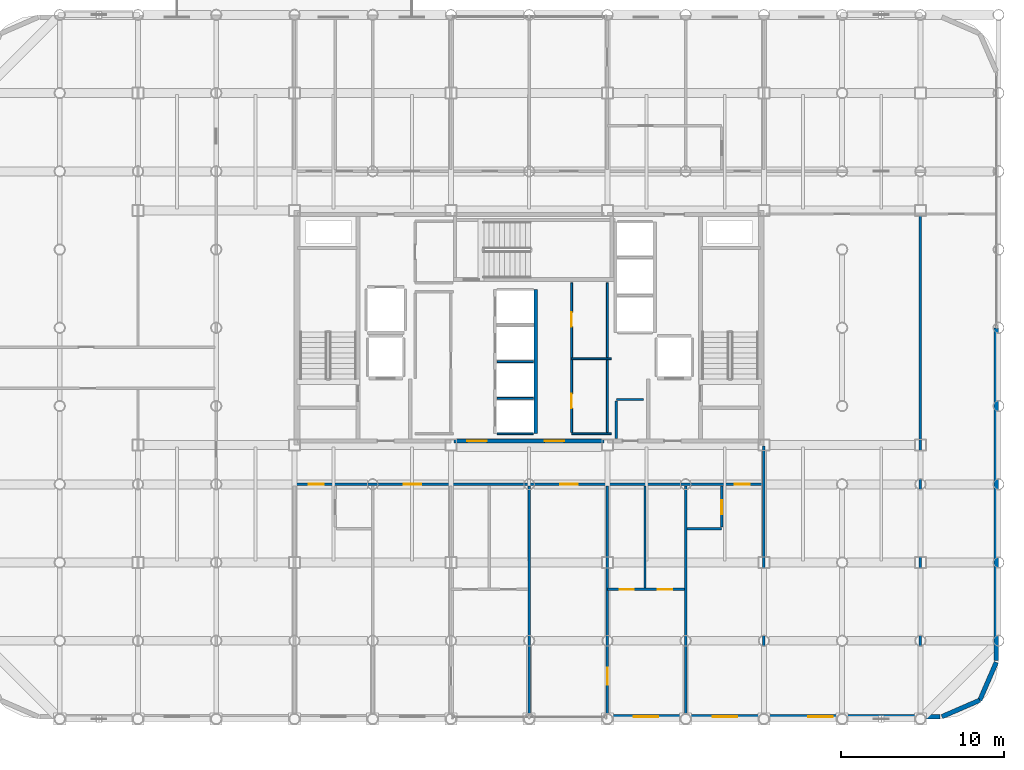
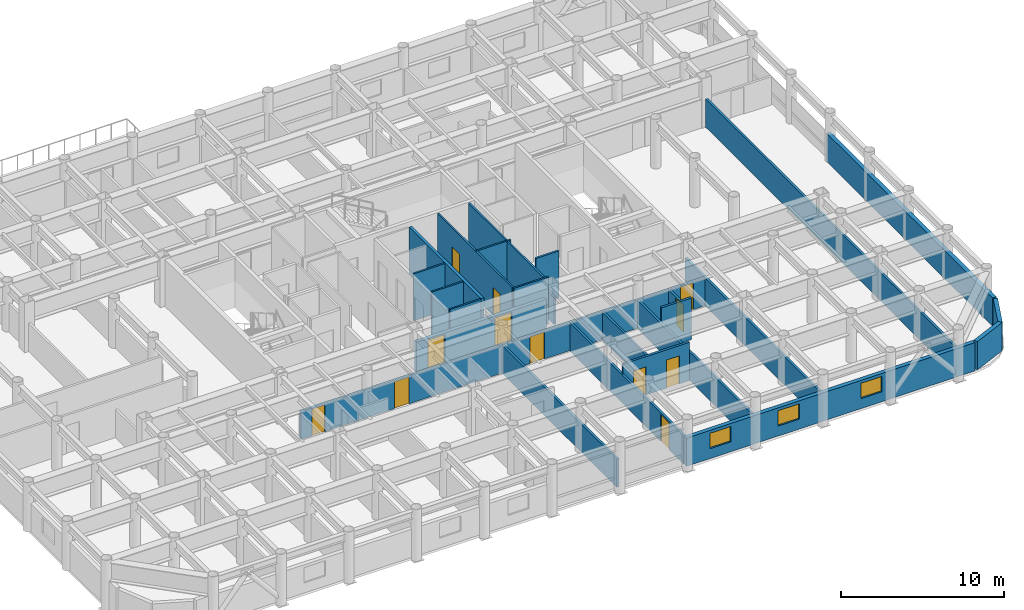
# One storey, part 18 of 22: 25 walls, 12 doors, 3 windows, 15 openings.
"""IFC4 building model written with IfcOpenShell, lengths in metres."""

from ifc_helpers import new_model, si_unit, direction, frame, frame_2d, origin, place, context, subcontext, project, spatial, rectangle, extrude, material, layer, layer_set, type_object, element, fill, save


model = new_model("IFC4")

# Units and contexts
model_context = context("Model", 3, precision=1e-05, world=origin(), true_north=direction((0.0, 1.0)))
body_context = subcontext(model_context, "Body", "Model", "MODEL_VIEW")
ifc_project = project(units=[si_unit("LENGTHUNIT", "METRE"), si_unit("AREAUNIT", "SQUARE_METRE"), si_unit("VOLUMEUNIT", "CUBIC_METRE"), si_unit("PLANEANGLEUNIT", "RADIAN"), si_unit("MASSUNIT", "GRAM", prefix="KILO")], contexts=[model_context])

# Site, building, storey
site_placement = place(None, origin())
site = spatial("IfcSite", under=ifc_project, at=site_placement, CompositionType="ELEMENT")
building_placement = place(site_placement, origin())
building = spatial("IfcBuilding", under=site, at=building_placement, Name="Kallvorn Hotel Tower", CompositionType="ELEMENT")
storey_placement = place(building_placement, frame((0.0, 0.0, 154.39990234375)))
storey = spatial("IfcBuildingStorey", under=building, at=storey_placement, Name="L38", CompositionType="ELEMENT", Elevation=154.39990234375)

# Wall, openings, doors
ifc_material_1 = material(Name="Fire-rated double-layer acoustic gypsum drywall EI 60")
ifc_layer_1 = layer(ifc_material_1, 0.159912109375)
ifc_layer_set_1 = layer_set([ifc_layer_1], Name="WL_DEMISE_160")
wall_type_1 = type_object("IfcWallType", Name="WL_DEMISE_160", PredefinedType="PARTITIONING", material=ifc_layer_set_1)
wall_1_placement = place(storey_placement, frame((4.800048828125, -16.050048828125, 0.0), z_axis=(0.0, 0.0, 1.0), x_axis=(1.0, 0.0, 0.0)))
wall_1 = element("IfcWall", 1, at=wall_1_placement, inside=storey, type_object=wall_type_1, Name="L38 Suite 3803 Executive Bedroom Partition", PredefinedType="PARTITIONING", context=body_context, shape_type="SweptSolid", body=[
    extrude(rectangle(XDim=4.719970703125, YDim=0.159912109375, at=frame_2d((2.35986328125, 0.0))), origin(), (0.0, 0.0, 1.0), 2.8701171875),
])
opening_1_placement = place(wall_1_placement, frame((0.75, 0.0, 0.0)))
opening_1 = element("IfcOpeningElement", 2, at=opening_1_placement, cuts=wall_1, Name="Opening BD-I", PredefinedType="OPENING", context=body_context, shape_type="SweptSolid", body=[
    extrude(rectangle(XDim=0.860107421875, YDim=2.10009765625, at=frame_2d((0.43017578125, 1.050048828125))), frame((0.0, 0.094970703125, 0.0), z_axis=(0.0, -1.0, 0.0), x_axis=(1.0, 0.0, 0.0)), (0.0, 0.0, 1.0), 0.18994140625),
])
opening_2_placement = place(wall_1_placement, frame((3.090087890625, 0.0, 0.0)))
opening_2 = element("IfcOpeningElement", 3, at=opening_2_placement, cuts=wall_1, Name="Opening SVD1", PredefinedType="OPENING", context=body_context, shape_type="SweptSolid", body=[
    extrude(rectangle(XDim=0.89990234375, YDim=2.10009765625, at=frame_2d((0.449951171875, 1.050048828125))), frame((0.0, 0.094970703125, 0.0), z_axis=(0.0, -1.0, 0.0), x_axis=(1.0, 0.0, 0.0)), (0.0, 0.0, 1.0), 0.18994140625),
])
ifc_material_2 = material(Name="Solid-core walnut veneer fire-rated timber door leaf", Category="wood")
door_type_1 = type_object("IfcDoorType", Name="DR_BATH_860x2100", OperationType="NOTDEFINED", PredefinedType="DOOR", material=ifc_material_2)
door_1_placement = place(opening_1_placement, origin())
door_1 = element("IfcDoor", 4, at=door_1_placement, inside=storey, type_object=door_type_1, Name="L38 Suite 3803 En-Suite Bathroom Door", OperationType="SINGLE_SWING_RIGHT", OverallHeight=2.10009765625, OverallWidth=0.860107421875, PredefinedType="DOOR", context=body_context, shape_type="SweptSolid", body=[
    extrude(rectangle(XDim=0.860107421875, YDim=2.10009765625, at=frame_2d((0.43017578125, 1.050048828125))), frame((0.0, 0.02490234375, 0.0), z_axis=(0.0, -1.0, 0.0), x_axis=(1.0, 0.0, 0.0)), (0.0, 0.0, 1.0), 0.050048828125),
])
fill(opening_1, door_1)
ifc_material_3 = material(Name="Galvanised painted steel fire-rated door assembly", Category="steel")
door_type_2 = type_object("IfcDoorType", Name="DR_SERV_900x2100", OperationType="NOTDEFINED", PredefinedType="DOOR", material=ifc_material_3)
door_2_placement = place(opening_2_placement, origin())
door_2 = element("IfcDoor", 5, at=door_2_placement, inside=storey, type_object=door_type_2, Name="L38 Suite 3803 Walk-In Dressing Closet Door", OperationType="SINGLE_SWING_LEFT", OverallHeight=2.10009765625, OverallWidth=0.89990234375, PredefinedType="DOOR", context=body_context, shape_type="SweptSolid", body=[
    extrude(rectangle(XDim=0.89990234375, YDim=2.10009765625, at=frame_2d((0.449951171875, 1.050048828125))), frame((0.0, 0.02490234375, 0.0), z_axis=(0.0, -1.0, 0.0), x_axis=(1.0, 0.0, 0.0)), (0.0, 0.0, 1.0), 0.050048828125),
])
fill(opening_2, door_2)

# Wall
wall_2_placement = place(storey_placement, frame((9.679931640625, -12.320068359375, 0.0), z_axis=(0.0, 0.0, 1.0), x_axis=(1.0, 0.0, 0.0)))
element("IfcWall", 6, at=wall_2_placement, inside=storey, type_object=wall_type_1, Name="L38 Suite 3804 Superior Twin Room Partition", PredefinedType="PARTITIONING", context=body_context, shape_type="SweptSolid", body=[
    extrude(rectangle(XDim=2.130126953125, YDim=0.159912109375, at=frame_2d((1.06494140625, 0.0))), origin(), (0.0, 0.0, 1.0), 3.1201171875),
])

# Wall, openings, doors
wall_3_placement = place(storey_placement, frame((-14.320068359375, -9.60009765625, 0.0), z_axis=(0.0, 0.0, 1.0), x_axis=(1.0, 0.0, 0.0)))
wall_3 = element("IfcWall", 7, at=wall_3_placement, inside=storey, type_object=wall_type_1, Name="L38 Suite 3801 Superior Twin Room Partition", PredefinedType="PARTITIONING", context=body_context, shape_type="SweptSolid", body=[
    extrude(rectangle(XDim=28.64013671875, YDim=0.159912109375, at=frame_2d((14.320068359375, 0.0))), origin(), (0.0, 0.0, 1.0), 2.1201171875),
])
opening_3_placement = place(wall_3_placement, frame((0.794921875, 0.0, 0.0)))
opening_3 = element("IfcOpeningElement", 8, at=opening_3_placement, cuts=wall_3, Name="Opening GD1A", PredefinedType="OPENING", context=body_context, shape_type="SweptSolid", body=[
    extrude(rectangle(XDim=0.919921875, YDim=2.02001953125, at=frame_2d((0.4599609375, 1.010009765625))), frame((0.0, 0.094970703125, 0.0), z_axis=(0.0, -1.0, 0.0), x_axis=(1.0, 0.0, 0.0)), (0.0, 0.0, 1.0), 0.18994140625),
])
opening_4_placement = place(wall_3_placement, frame((6.635009765625, 0.0, 0.0)))
opening_4 = element("IfcOpeningElement", 9, at=opening_4_placement, cuts=wall_3, Name="Opening GD2A", PredefinedType="OPENING", context=body_context, shape_type="SweptSolid", body=[
    extrude(rectangle(XDim=1.050048828125, YDim=2.02001953125, at=frame_2d((0.52490234375, 1.010009765625))), frame((0.0, 0.094970703125, 0.0), z_axis=(0.0, -1.0, 0.0), x_axis=(1.0, 0.0, 0.0)), (0.0, 0.0, 1.0), 0.18994140625),
])
opening_5_placement = place(wall_3_placement, frame((16.235107421875, 0.0, 0.0)))
opening_5 = element("IfcOpeningElement", 10, at=opening_5_placement, cuts=wall_3, Name="Opening GD2A", PredefinedType="OPENING", context=body_context, shape_type="SweptSolid", body=[
    extrude(rectangle(XDim=1.050048828125, YDim=2.02001953125, at=frame_2d((0.52490234375, 1.010009765625))), frame((0.0, 0.094970703125, 0.0), z_axis=(0.0, -1.0, 0.0), x_axis=(1.0, 0.0, 0.0)), (0.0, 0.0, 1.0), 0.18994140625),
])
opening_6_placement = place(wall_3_placement, frame((26.925048828125, 0.0, 0.0)))
opening_6 = element("IfcOpeningElement", 11, at=opening_6_placement, cuts=wall_3, Name="Opening GD1A", PredefinedType="OPENING", context=body_context, shape_type="SweptSolid", body=[
    extrude(rectangle(XDim=0.919921875, YDim=2.02001953125, at=frame_2d((0.4599609375, 1.010009765625))), frame((0.0, 0.094970703125, 0.0), z_axis=(0.0, -1.0, 0.0), x_axis=(1.0, 0.0, 0.0)), (0.0, 0.0, 1.0), 0.18994140625),
])
ifc_material_4 = material(Name="Solid-core walnut veneer fire-rated timber door leaf", Category="wood")
door_type_3 = type_object("IfcDoorType", Name="DR_GUEST_920x2020", OperationType="NOTDEFINED", PredefinedType="DOOR", material=ifc_material_4)
door_3_placement = place(opening_3_placement, origin())
door_3 = element("IfcDoor", 12, at=door_3_placement, inside=storey, type_object=door_type_3, Name="L38 Suite 3801 Superior Twin Room Door", OperationType="SINGLE_SWING_RIGHT", OverallHeight=2.02001953125, OverallWidth=0.919921875, PredefinedType="DOOR", context=body_context, shape_type="SweptSolid", body=[
    extrude(rectangle(XDim=0.919921875, YDim=2.02001953125, at=frame_2d((0.4599609375, 1.010009765625))), frame((0.0, 0.02490234375, 0.0), z_axis=(0.0, -1.0, 0.0), x_axis=(1.0, 0.0, 0.0)), (0.0, 0.0, 1.0), 0.050048828125),
])
fill(opening_3, door_3)
door_4_placement = place(opening_6_placement, origin())
door_4 = element("IfcDoor", 13, at=door_4_placement, inside=storey, type_object=door_type_3, Name="L38 Suite 3804 Superior Twin Room Door", OperationType="SINGLE_SWING_LEFT", OverallHeight=2.02001953125, OverallWidth=0.919921875, PredefinedType="DOOR", context=body_context, shape_type="SweptSolid", body=[
    extrude(rectangle(XDim=0.919921875, YDim=2.02001953125, at=frame_2d((0.4599609375, 1.010009765625))), frame((0.0, 0.02490234375, 0.0), z_axis=(0.0, -1.0, 0.0), x_axis=(1.0, 0.0, 0.0)), (0.0, 0.0, 1.0), 0.050048828125),
])
fill(opening_6, door_4)
ifc_material_5 = material(Name="Solid-core walnut veneer fire-rated timber door leaf", Category="wood")
door_type_4 = type_object("IfcDoorType", Name="DR_SUITE_1050x2020", OperationType="NOTDEFINED", PredefinedType="DOOR", material=ifc_material_5)
door_5_placement = place(opening_4_placement, origin())
door_5 = element("IfcDoor", 14, at=door_5_placement, inside=storey, type_object=door_type_4, Name="L38 Suite 3802 Executive Living Salon Door", OperationType="SINGLE_SWING_RIGHT", OverallHeight=2.02001953125, OverallWidth=1.050048828125, PredefinedType="DOOR", context=body_context, shape_type="SweptSolid", body=[
    extrude(rectangle(XDim=1.050048828125, YDim=2.02001953125, at=frame_2d((0.52490234375, 1.010009765625))), frame((0.0, 0.02490234375, 0.0), z_axis=(0.0, -1.0, 0.0), x_axis=(1.0, 0.0, 0.0)), (0.0, 0.0, 1.0), 0.050048828125),
])
fill(opening_4, door_5)
door_6_placement = place(opening_5_placement, origin())
door_6 = element("IfcDoor", 15, at=door_6_placement, inside=storey, type_object=door_type_4, Name="L38 Suite 3803 Executive Living Salon Door", OperationType="SINGLE_SWING_LEFT", OverallHeight=2.02001953125, OverallWidth=1.050048828125, PredefinedType="DOOR", context=body_context, shape_type="SweptSolid", body=[
    extrude(rectangle(XDim=1.050048828125, YDim=2.02001953125, at=frame_2d((0.52490234375, 1.010009765625))), frame((0.0, 0.02490234375, 0.0), z_axis=(0.0, -1.0, 0.0), x_axis=(1.0, 0.0, 0.0)), (0.0, 0.0, 1.0), 0.050048828125),
])
fill(opening_5, door_6)

# Wall
wall_4_placement = place(storey_placement, frame((0.0, -23.794921875, 0.0), z_axis=(0.0, 0.0, 1.0), x_axis=(0.0, 1.0, 0.0)))
element("IfcWall", 16, at=wall_4_placement, inside=storey, type_object=wall_type_1, Name="L38 Suite 3802 Executive Bedroom Partition", PredefinedType="PARTITIONING", context=body_context, shape_type="SweptSolid", body=[
    extrude(rectangle(XDim=14.074951171875, YDim=0.159912109375, at=frame_2d((7.03759765625, 0.0))), origin(), (0.0, 0.0, 1.0), 2.1201171875),
])

# Wall, opening, door
wall_5_placement = place(storey_placement, frame((4.800048828125, -23.7099609375, 0.0), z_axis=(0.0, 0.0, 1.0), x_axis=(0.0, 1.0, 0.0)))
wall_5 = element("IfcWall", 17, at=wall_5_placement, inside=storey, type_object=wall_type_1, Name="L38 Suite 3803 Executive Bedroom Partition", PredefinedType="PARTITIONING", context=body_context, shape_type="SweptSolid", body=[
    extrude(rectangle(XDim=13.989990234375, YDim=0.159912109375, at=frame_2d((6.9951171875, 0.0))), origin(), (0.0, 0.0, 1.0), 2.1201171875),
])
opening_7_placement = place(wall_5_placement, frame((1.802978515625, 0.0, 0.0)))
opening_7 = element("IfcOpeningElement", 18, at=opening_7_placement, cuts=wall_5, Name="Opening GD2A", PredefinedType="OPENING", context=body_context, shape_type="SweptSolid", body=[
    extrude(rectangle(XDim=1.050048828125, YDim=2.02001953125, at=frame_2d((0.52490234375, 1.010009765625))), frame((0.0, 0.094970703125, 0.0), z_axis=(0.0, -1.0, 0.0), x_axis=(1.0, 0.0, 0.0)), (0.0, 0.0, 1.0), 0.18994140625),
])
door_7_placement = place(opening_7_placement, origin())
door_7 = element("IfcDoor", 19, at=door_7_placement, inside=storey, type_object=door_type_4, Name="L38 Suite 3803 Executive Bedroom Door", OperationType="SINGLE_SWING_RIGHT", OverallHeight=2.02001953125, OverallWidth=1.050048828125, PredefinedType="DOOR", context=body_context, shape_type="SweptSolid", body=[
    extrude(rectangle(XDim=1.050048828125, YDim=2.02001953125, at=frame_2d((0.52490234375, 1.010009765625))), frame((0.0, 0.02490234375, 0.0), z_axis=(0.0, -1.0, 0.0), x_axis=(1.0, 0.0, 0.0)), (0.0, 0.0, 1.0), 0.050048828125),
])
fill(opening_7, door_7)

# Wall
wall_6_placement = place(storey_placement, frame((9.60009765625, -23.7099609375, 0.0), z_axis=(0.0, 0.0, 1.0), x_axis=(0.0, 1.0, 0.0)))
element("IfcWall", 20, at=wall_6_placement, inside=storey, type_object=wall_type_1, Name="L38 Suite 3803 Executive Bedroom Partition", PredefinedType="PARTITIONING", context=body_context, shape_type="SweptSolid", body=[
    extrude(rectangle(XDim=13.989990234375, YDim=0.159912109375, at=frame_2d((6.9951171875, 0.0))), origin(), (0.0, 0.0, 1.0), 2.1201171875),
])

# Wall, opening, door
wall_7_placement = place(storey_placement, frame((11.81005859375, -12.235107421875, 0.0), z_axis=(0.0, 0.0, 1.0), x_axis=(0.0, 1.0, 0.0)))
wall_7 = element("IfcWall", 21, at=wall_7_placement, inside=storey, type_object=wall_type_1, Name="L38 Suite 3804 Superior Twin Room Partition", PredefinedType="PARTITIONING", context=body_context, shape_type="SweptSolid", body=[
    extrude(rectangle(XDim=2.51513671875, YDim=0.159912109375, at=frame_2d((1.257568359375, 0.0))), origin(), (0.0, 0.0, 1.0), 2.1201171875),
])
opening_8_placement = place(wall_7_placement, frame((0.784912109375, 0.0, 0.0)))
opening_8 = element("IfcOpeningElement", 22, at=opening_8_placement, cuts=wall_7, Name="Opening BD-IA", PredefinedType="OPENING", context=body_context, shape_type="SweptSolid", body=[
    extrude(rectangle(XDim=0.860107421875, YDim=2.02001953125, at=frame_2d((0.43017578125, 1.010009765625))), frame((0.0, 0.094970703125, 0.0), z_axis=(0.0, -1.0, 0.0), x_axis=(1.0, 0.0, 0.0)), (0.0, 0.0, 1.0), 0.18994140625),
])
ifc_material_6 = material(Name="Solid-core walnut veneer fire-rated timber door leaf", Category="wood")
door_type_5 = type_object("IfcDoorType", Name="DR_BATH_860x2020", OperationType="NOTDEFINED", PredefinedType="DOOR", material=ifc_material_6)
door_8_placement = place(opening_8_placement, origin())
door_8 = element("IfcDoor", 23, at=door_8_placement, inside=storey, type_object=door_type_5, Name="L38 Suite 3804 En-Suite Bathroom Door", OperationType="SINGLE_SWING_RIGHT", OverallHeight=2.02001953125, OverallWidth=0.860107421875, PredefinedType="DOOR", context=body_context, shape_type="SweptSolid", body=[
    extrude(rectangle(XDim=0.860107421875, YDim=2.02001953125, at=frame_2d((0.43017578125, 1.010009765625))), frame((0.0, 0.02490234375, 0.0), z_axis=(0.0, -1.0, 0.0), x_axis=(1.0, 0.0, 0.0)), (0.0, 0.0, 1.0), 0.050048828125),
])
fill(opening_8, door_8)

# Walls
wall_8_placement = place(storey_placement, frame((14.39990234375, -23.7099609375, 0.0), z_axis=(0.0, 0.0, 1.0), x_axis=(0.0, 1.0, 0.0)))
element("IfcWall", 24, at=wall_8_placement, inside=storey, type_object=wall_type_1, Name="L38 Suite 3804 Superior Twin Room Partition", PredefinedType="PARTITIONING", context=body_context, shape_type="SweptSolid", body=[
    extrude(rectangle(XDim=16.469970703125, YDim=0.159912109375, at=frame_2d((8.23486328125, 0.0))), origin(), (0.0, 0.0, 1.0), 2.1201171875),
])
ifc_material_7 = material(Name="Precast basalt-clad insulated concrete wall C40/50", Category="masonry")
ifc_layer_2 = layer(ifc_material_7, 0.280029296875)
ifc_layer_set_2 = layer_set([ifc_layer_2], Name="WL_EXT_LOGGIA_280")
wall_type_2 = type_object("IfcWallType", Name="WL_EXT_LOGGIA_280", PredefinedType="SOLIDWALL", material=ifc_layer_set_2)
wall_9_placement = place(storey_placement, frame((25.32080078125, -23.85791015625, 0.0), z_axis=(0.0, 0.0, 1.0), x_axis=(0.917060872934, 0.398747232384, 0.0)))
element("IfcWall", 25, at=wall_9_placement, inside=storey, type_object=wall_type_2, Name="L38 Rounded Corner Exterior Wall SE1", PredefinedType="SOLIDWALL", context=body_context, shape_type="SweptSolid", body=[
    extrude(rectangle(XDim=2.5361328125, YDim=0.280029296875, at=frame_2d((1.26806640625, 0.0))), origin(), (0.0, 0.0, 1.0), 2.1201171875),
])
wall_10_placement = place(storey_placement, frame((27.646484375, -22.8466796875, 0.0), z_axis=(0.0, 0.0, 1.0), x_axis=(0.398792985289, 0.917040977756, 0.0)))
element("IfcWall", 26, at=wall_10_placement, inside=storey, type_object=wall_type_2, Name="L38 Rounded Corner Exterior Wall SE2", PredefinedType="SOLIDWALL", context=body_context, shape_type="SweptSolid", body=[
    extrude(rectangle(XDim=2.536376953125, YDim=0.280029296875, at=frame_2d((1.26806640625, 0.0))), origin(), (0.0, 0.0, 1.0), 2.1201171875),
])

# Wall, openings, windows
wall_11_placement = place(storey_placement, frame((4.75, -23.860107421875, 0.0), z_axis=(0.0, 0.0, 1.0), x_axis=(1.0, 0.0, 0.0)))
wall_11 = element("IfcWall", 27, at=wall_11_placement, inside=storey, type_object=wall_type_2, Name="L38 Exterior Envelope Wall EW-L38-SE", PredefinedType="SOLIDWALL", context=body_context, shape_type="SweptSolid", body=[
    extrude(rectangle(XDim=20.449951171875, YDim=0.280029296875, at=frame_2d((10.22509765625, 0.0))), origin(), (0.0, 0.0, 1.0), 2.1201171875),
])
opening_9_placement = place(wall_11_placement, frame((12.360107421875, 0.0, 0.75)))
opening_9 = element("IfcOpeningElement", 28, at=opening_9_placement, cuts=wall_11, Name="Opening W05A", PredefinedType="OPENING", context=body_context, shape_type="SweptSolid", body=[
    extrude(rectangle(XDim=1.5, YDim=1.14990234375, at=frame_2d((0.75, 0.574951171875))), frame((0.0, 0.155029296875, 0.0), z_axis=(0.0, -1.0, 0.0), x_axis=(1.0, 0.0, 0.0)), (0.0, 0.0, 1.0), 0.31005859375),
])
opening_10_placement = place(wall_11_placement, frame((1.659912109375, 0.0, 0.75)))
opening_10 = element("IfcOpeningElement", 29, at=opening_10_placement, cuts=wall_11, Name="Opening W05A", PredefinedType="OPENING", context=body_context, shape_type="SweptSolid", body=[
    extrude(rectangle(XDim=1.5, YDim=1.14990234375, at=frame_2d((0.75, 0.574951171875))), frame((0.0, 0.155029296875, 0.0), z_axis=(0.0, -1.0, 0.0), x_axis=(1.0, 0.0, 0.0)), (0.0, 0.0, 1.0), 0.31005859375),
])
opening_11_placement = place(wall_11_placement, frame((6.5, 0.0, 0.75)))
opening_11 = element("IfcOpeningElement", 30, at=opening_11_placement, cuts=wall_11, Name="Opening W05A", PredefinedType="OPENING", context=body_context, shape_type="SweptSolid", body=[
    extrude(rectangle(XDim=1.5, YDim=1.14990234375, at=frame_2d((0.75, 0.574951171875))), frame((0.0, 0.155029296875, 0.0), z_axis=(0.0, -1.0, 0.0), x_axis=(1.0, 0.0, 0.0)), (0.0, 0.0, 1.0), 0.31005859375),
])
ifc_material_8 = material(Name="Double-glazed low-e solar-control dark glass", Category="glass")
window_type = type_object("IfcWindowType", Name="WN_HTL_1500x1150", PartitioningType="SINGLE_PANEL", PredefinedType="WINDOW", material=ifc_material_8)
window_1_placement = place(opening_9_placement, origin())
window_1 = element("IfcWindow", 31, at=window_1_placement, inside=storey, type_object=window_type, Name="L38 Guestroom Exterior Window 05", OverallHeight=1.14990234375, OverallWidth=1.5, PartitioningType="SINGLE_PANEL", PredefinedType="WINDOW", context=body_context, shape_type="SweptSolid", body=[
    extrude(rectangle(XDim=1.5, YDim=1.14990234375, at=frame_2d((0.75, 0.574951171875))), frame((0.0, 0.030029296875, 0.0), z_axis=(0.0, -1.0, 0.0), x_axis=(1.0, 0.0, 0.0)), (0.0, 0.0, 1.0), 0.06005859375),
])
fill(opening_9, window_1)
window_2_placement = place(opening_10_placement, origin())
window_2 = element("IfcWindow", 32, at=window_2_placement, inside=storey, type_object=window_type, Name="L38 Guestroom Exterior Window 08", OverallHeight=1.14990234375, OverallWidth=1.5, PartitioningType="SINGLE_PANEL", PredefinedType="WINDOW", context=body_context, shape_type="SweptSolid", body=[
    extrude(rectangle(XDim=1.5, YDim=1.14990234375, at=frame_2d((0.75, 0.574951171875))), frame((0.0, 0.030029296875, 0.0), z_axis=(0.0, -1.0, 0.0), x_axis=(1.0, 0.0, 0.0)), (0.0, 0.0, 1.0), 0.06005859375),
])
fill(opening_10, window_2)
window_3_placement = place(opening_11_placement, origin())
window_3 = element("IfcWindow", 33, at=window_3_placement, inside=storey, type_object=window_type, Name="L38 Guestroom Exterior Window 09", OverallHeight=1.14990234375, OverallWidth=1.5, PartitioningType="SINGLE_PANEL", PredefinedType="WINDOW", context=body_context, shape_type="SweptSolid", body=[
    extrude(rectangle(XDim=1.5, YDim=1.14990234375, at=frame_2d((0.75, 0.574951171875))), frame((0.0, 0.030029296875, 0.0), z_axis=(0.0, -1.0, 0.0), x_axis=(1.0, 0.0, 0.0)), (0.0, 0.0, 1.0), 0.06005859375),
])
fill(opening_11, window_3)

# Walls
wall_12_placement = place(storey_placement, frame((28.659912109375, -20.39990234375, 0.0), z_axis=(0.0, 0.0, 1.0), x_axis=(0.0, 1.0, 0.0)))
element("IfcWall", 34, at=wall_12_placement, inside=storey, type_object=wall_type_2, Name="L38 Exterior Envelope Wall EW-L38-ES", PredefinedType="SOLIDWALL", context=body_context, shape_type="SweptSolid", body=[
    extrude(rectangle(XDim=20.3798828125, YDim=0.280029296875, at=frame_2d((10.18994140625, 0.0))), origin(), (0.0, 0.0, 1.0), 2.1201171875),
])
ifc_material_9 = material(Name="Concrete C40/50", Category="concrete")
ifc_layer_3 = layer(ifc_material_9, 0.199951171875)
ifc_layer_set_3 = layer_set([ifc_layer_3], Name="WL_HOIST_200")
wall_type_3 = type_object("IfcWallType", Name="WL_HOIST_200", PredefinedType="SOLIDWALL", material=ifc_layer_set_3)
wall_13_placement = place(storey_placement, frame((0.39990234375, -6.5, 0.0), z_axis=(0.0, 0.0, 1.0), x_axis=(0.0, 1.0, 0.0)))
element("IfcWall", 35, at=wall_13_placement, inside=storey, type_object=wall_type_3, Name="L38 Lift Bank B2 Rear Shaft Wall", PredefinedType="SOLIDWALL", context=body_context, shape_type="SweptSolid", body=[
    extrude(rectangle(XDim=8.85009765625, YDim=0.199951171875, at=frame_2d((4.425048828125, 0.0))), origin(), (0.0, 0.0, 1.0), 3.52001953125),
])
ifc_material_10 = material(Name="Fire-rated double-layer acoustic gypsum drywall EI 60")
ifc_layer_4 = layer(ifc_material_10, 0.1201171875)
ifc_layer_set_4 = layer_set([ifc_layer_4], Name="WL_INT_120")
wall_type_4 = type_object("IfcWallType", Name="WL_INT_120", PredefinedType="PARTITIONING", material=ifc_layer_set_4)
for number, where, z_axis, x_axis, name in (
    (36, (-1.9599609375, -6.5, 0.0), (0.0, 0.0, 1.0), (1.0, 0.0, 0.0), "L38 Lift Bank B2 South Closure Wall"),
    (37, (-1.9599609375, -4.324951171875, 0.0), (0.0, 0.0, 1.0), (1.0, 0.0, 0.0), "L38 PL-05 Hoistway Divider"),
    (38, (-1.9599609375, -2.074951171875, 0.0), (0.0, 0.0, 1.0), (1.0, 0.0, 0.0), "L38 PL-06 Hoistway Divider"),
):
    element("IfcWall", number, at=place(storey_placement, frame(where, z_axis=z_axis, x_axis=x_axis)), inside=storey, type_object=wall_type_4, Name=name, PredefinedType="PARTITIONING", context=body_context, shape_type="SweptSolid", body=[
        extrude(rectangle(XDim=2.219970703125, YDim=0.1201171875, at=frame_2d((1.10986328125, 0.0))), origin(), (0.0, 0.0, 1.0), 3.52001953125),
    ])
for number, where, z_axis, x_axis, name in (
    (39, (2.60009765625, -6.5, 0.0), (0.0, 0.0, 1.0), (1.0, 0.0, 0.0), "L38 East Core Amenities and Minibar Store Partition"),
    (40, (2.60009765625, -1.89990234375, 0.0), (0.0, 0.0, 1.0), (1.0, 0.0, 0.0), "L38 East Core Amenities and Minibar Store Partition"),
):
    element("IfcWall", number, at=place(storey_placement, frame(where, z_axis=z_axis, x_axis=x_axis)), inside=storey, type_object=wall_type_4, Name=name, PredefinedType="PARTITIONING", context=body_context, shape_type="SweptSolid", body=[
        extrude(rectangle(XDim=2.449951171875, YDim=0.1201171875, at=frame_2d((1.22509765625, 0.0))), origin(), (0.0, 0.0, 1.0), 3.52001953125),
    ])

# Wall, openings, doors
wall_14_placement = place(storey_placement, frame((2.60009765625, -6.4150390625, 0.0), z_axis=(0.0, 0.0, 1.0), x_axis=(0.0, 1.0, 0.0)))
wall_14 = element("IfcWall", 41, at=wall_14_placement, inside=storey, type_object=wall_type_4, Name="L38 East Core Amenities and Minibar Store Partition", PredefinedType="PARTITIONING", context=body_context, shape_type="SweptSolid", body=[
    extrude(rectangle(XDim=9.1650390625, YDim=0.1201171875, at=frame_2d((4.58251953125, 0.0))), origin(), (0.0, 0.0, 1.0), 3.52001953125),
])
opening_12_placement = place(wall_14_placement, frame((1.465087890625, 0.0, 0.0)))
opening_12 = element("IfcOpeningElement", 42, at=opening_12_placement, cuts=wall_14, Name="Opening SVD1", PredefinedType="OPENING", context=body_context, shape_type="SweptSolid", body=[
    extrude(rectangle(XDim=0.89990234375, YDim=2.10009765625, at=frame_2d((0.449951171875, 1.050048828125))), frame((0.0, 0.074951171875, 0.0), z_axis=(0.0, -1.0, 0.0), x_axis=(1.0, 0.0, 0.0)), (0.0, 0.0, 1.0), 0.150146484375),
])
opening_13_placement = place(wall_14_placement, frame((6.465087890625, 0.0, 0.0)))
opening_13 = element("IfcOpeningElement", 43, at=opening_13_placement, cuts=wall_14, Name="Opening SVD1", PredefinedType="OPENING", context=body_context, shape_type="SweptSolid", body=[
    extrude(rectangle(XDim=0.89990234375, YDim=2.10009765625, at=frame_2d((0.449951171875, 1.050048828125))), frame((0.0, 0.074951171875, 0.0), z_axis=(0.0, -1.0, 0.0), x_axis=(1.0, 0.0, 0.0)), (0.0, 0.0, 1.0), 0.150146484375),
])
door_9_placement = place(opening_12_placement, origin())
door_9 = element("IfcDoor", 44, at=door_9_placement, inside=storey, type_object=door_type_2, Name="L38 East Core Amenities and Minibar Store Door", OperationType="SINGLE_SWING_RIGHT", OverallHeight=2.10009765625, OverallWidth=0.89990234375, PredefinedType="DOOR", context=body_context, shape_type="SweptSolid", body=[
    extrude(rectangle(XDim=0.89990234375, YDim=2.10009765625, at=frame_2d((0.449951171875, 1.050048828125))), frame((0.0, 0.02490234375, 0.0), z_axis=(0.0, -1.0, 0.0), x_axis=(1.0, 0.0, 0.0)), (0.0, 0.0, 1.0), 0.050048828125),
])
fill(opening_12, door_9)
door_10_placement = place(opening_13_placement, origin())
door_10 = element("IfcDoor", 45, at=door_10_placement, inside=storey, type_object=door_type_2, Name="L38 East Core Cleaners and Janitor Room Door", OperationType="SINGLE_SWING_RIGHT", OverallHeight=2.10009765625, OverallWidth=0.89990234375, PredefinedType="DOOR", context=body_context, shape_type="SweptSolid", body=[
    extrude(rectangle(XDim=0.89990234375, YDim=2.10009765625, at=frame_2d((0.449951171875, 1.050048828125))), frame((0.0, 0.02490234375, 0.0), z_axis=(0.0, -1.0, 0.0), x_axis=(1.0, 0.0, 0.0)), (0.0, 0.0, 1.0), 0.050048828125),
])
fill(opening_13, door_10)

# Walls
wall_15_placement = place(storey_placement, frame((4.800048828125, -6.4150390625, 0.0), z_axis=(0.0, 0.0, 1.0), x_axis=(0.0, 1.0, 0.0)))
element("IfcWall", 46, at=wall_15_placement, inside=storey, type_object=wall_type_4, Name="L38 East Core Amenities and Minibar Store Partition", PredefinedType="PARTITIONING", context=body_context, shape_type="SweptSolid", body=[
    extrude(rectangle(XDim=9.1650390625, YDim=0.1201171875, at=frame_2d((4.58251953125, 0.0))), origin(), (0.0, 0.0, 1.0), 3.52001953125),
])
ifc_material_11 = material(Name="Fire-rated double-layer acoustic gypsum drywall EI 60")
ifc_layer_5 = layer(ifc_material_11, 0.14990234375)
ifc_layer_set_5 = layer_set([ifc_layer_5], Name="WL_PART_150")
wall_type_5 = type_object("IfcWallType", Name="WL_PART_150", PredefinedType="PARTITIONING", material=ifc_layer_set_5)
wall_16_placement = place(storey_placement, frame((7.106689453125, -15.965087890625, 0.0), z_axis=(0.0, 0.0, 1.0), x_axis=(0.0, 1.0, 0.0)))
element("IfcWall", 47, at=wall_16_placement, inside=storey, type_object=wall_type_5, Name="L38 Suite 3803 Walk-In Dressing Closet Partition", PredefinedType="PARTITIONING", context=body_context, shape_type="SweptSolid", body=[
    extrude(rectangle(XDim=6.2451171875, YDim=0.14990234375, at=frame_2d((3.12255859375, 0.0))), origin(), (0.0, 0.0, 1.0), 2.1201171875),
])
wall_17_placement = place(storey_placement, frame((24.0, -23.7099609375, 0.0), z_axis=(0.0, 0.0, 1.0), x_axis=(0.0, 1.0, 0.0)))
element("IfcWall", 48, at=wall_17_placement, inside=storey, type_object=wall_type_5, Name="L38 L38 Far-East Design Boutique Partition", PredefinedType="PARTITIONING", context=body_context, shape_type="SweptSolid", body=[
    extrude(rectangle(XDim=30.60498046875, YDim=0.14990234375, at=frame_2d((15.302490234375, 0.0))), origin(), (0.0, 0.0, 1.0), 2.1201171875),
])
ifc_material_12 = material(Name="Moisture-resistant acoustic plumbing chase wall EI 60")
ifc_layer_6 = layer(ifc_material_12, 0.139892578125)
ifc_layer_set_6 = layer_set([ifc_layer_6], Name="WL_PLUMB_140")
wall_type_6 = type_object("IfcWallType", Name="WL_PLUMB_140", PredefinedType="PLUMBINGWALL", material=ifc_layer_set_6)
wall_18_placement = place(storey_placement, frame((5.35009765625, -4.39990234375, 0.0), z_axis=(0.0, 0.0, 1.0), x_axis=(1.0, 0.0, 0.0)))
element("IfcWall", 49, at=wall_18_placement, inside=storey, type_object=wall_type_6, Name="L38 Core Staff Restroom WC Partition", PredefinedType="PLUMBINGWALL", context=body_context, shape_type="SweptSolid", body=[
    extrude(rectangle(XDim=1.64990234375, YDim=0.139892578125, at=frame_2d((0.824951171875, 0.0))), origin(), (0.0, 0.0, 1.0), 3.52001953125),
])
wall_19_placement = place(storey_placement, frame((5.35009765625, -6.800048828125, 0.0), z_axis=(0.0, 0.0, 1.0), x_axis=(0.0, 1.0, 0.0)))
element("IfcWall", 50, at=wall_19_placement, inside=storey, type_object=wall_type_6, Name="L38 Core Staff Restroom WC Partition", PredefinedType="PLUMBINGWALL", context=body_context, shape_type="SweptSolid", body=[
    extrude(rectangle(XDim=2.31494140625, YDim=0.139892578125, at=frame_2d((1.157470703125, 0.0))), origin(), (0.0, 0.0, 1.0), 2.1201171875),
])

# Wall, openings, doors
ifc_material_13 = material(Name="Concrete C40/50", Category="concrete")
ifc_layer_7 = layer(ifc_material_13, 0.25)
ifc_layer_set_7 = layer_set([ifc_layer_7], Name="WL_SHAFT_250")
wall_type_7 = type_object("IfcWallType", Name="WL_SHAFT_250", PredefinedType="SOLIDWALL", material=ifc_layer_set_7)
wall_20_placement = place(storey_placement, frame((-4.60009765625, -6.949951171875, 0.0), z_axis=(0.0, 0.0, 1.0), x_axis=(1.0, 0.0, 0.0)))
wall_20 = element("IfcWall", 51, at=wall_20_placement, inside=storey, type_object=wall_type_7, Name="L38 Core South-Central Wall", PredefinedType="SOLIDWALL", context=body_context, shape_type="SweptSolid", body=[
    extrude(rectangle(XDim=9.2001953125, YDim=0.25, at=frame_2d((4.60009765625, 0.0))), origin(), (0.0, 0.0, 1.0), 2.320068359375),
])
opening_14_placement = place(wall_20_placement, frame((0.800048828125, 0.0, 0.0)))
opening_14 = element("IfcOpeningElement", 52, at=opening_14_placement, cuts=wall_20, Name="Opening FD2", PredefinedType="OPENING", context=body_context, shape_type="SweptSolid", body=[
    extrude(rectangle(XDim=1.199951171875, YDim=2.199951171875, at=frame_2d((0.60009765625, 1.10009765625))), frame((0.0, 0.139892578125, 0.0), z_axis=(0.0, -1.0, 0.0), x_axis=(1.0, 0.0, 0.0)), (0.0, 0.0, 1.0), 0.280029296875),
])
opening_15_placement = place(wall_20_placement, frame((5.550048828125, 0.0, 0.0)))
opening_15 = element("IfcOpeningElement", 53, at=opening_15_placement, cuts=wall_20, Name="Opening FD2", PredefinedType="OPENING", context=body_context, shape_type="SweptSolid", body=[
    extrude(rectangle(XDim=1.199951171875, YDim=2.199951171875, at=frame_2d((0.60009765625, 1.10009765625))), frame((0.0, 0.139892578125, 0.0), z_axis=(0.0, -1.0, 0.0), x_axis=(1.0, 0.0, 0.0)), (0.0, 0.0, 1.0), 0.280029296875),
])
ifc_material_14 = material(Name="Galvanised painted steel fire-rated door assembly", Category="steel")
door_type_6 = type_object("IfcDoorType", Name="DR_LOBBY_1200x2200", OperationType="DOUBLE_DOOR_SINGLE_SWING", PredefinedType="DOOR", material=ifc_material_14)
door_11_placement = place(opening_14_placement, origin())
door_11 = element("IfcDoor", 54, at=door_11_placement, inside=storey, type_object=door_type_6, Name="L38 West Passenger Lift Lobby Door", OperationType="DOUBLE_DOOR_SINGLE_SWING", OverallHeight=2.199951171875, OverallWidth=1.199951171875, PredefinedType="DOOR", context=body_context, shape_type="SweptSolid", body=[
    extrude(rectangle(XDim=1.199951171875, YDim=2.199951171875, at=frame_2d((0.60009765625, 1.10009765625))), frame((0.0, 0.02490234375, 0.0), z_axis=(0.0, -1.0, 0.0), x_axis=(1.0, 0.0, 0.0)), (0.0, 0.0, 1.0), 0.050048828125),
])
fill(opening_14, door_11)
door_12_placement = place(opening_15_placement, origin())
door_12 = element("IfcDoor", 55, at=door_12_placement, inside=storey, type_object=door_type_6, Name="L38 East Passenger Lift Lobby Door", OperationType="DOUBLE_DOOR_SINGLE_SWING", OverallHeight=2.199951171875, OverallWidth=1.199951171875, PredefinedType="DOOR", context=body_context, shape_type="SweptSolid", body=[
    extrude(rectangle(XDim=1.199951171875, YDim=2.199951171875, at=frame_2d((0.60009765625, 1.10009765625))), frame((0.0, 0.02490234375, 0.0), z_axis=(0.0, -1.0, 0.0), x_axis=(1.0, 0.0, 0.0)), (0.0, 0.0, 1.0), 0.050048828125),
])
fill(opening_15, door_12)

save(model, "model.ifc")
